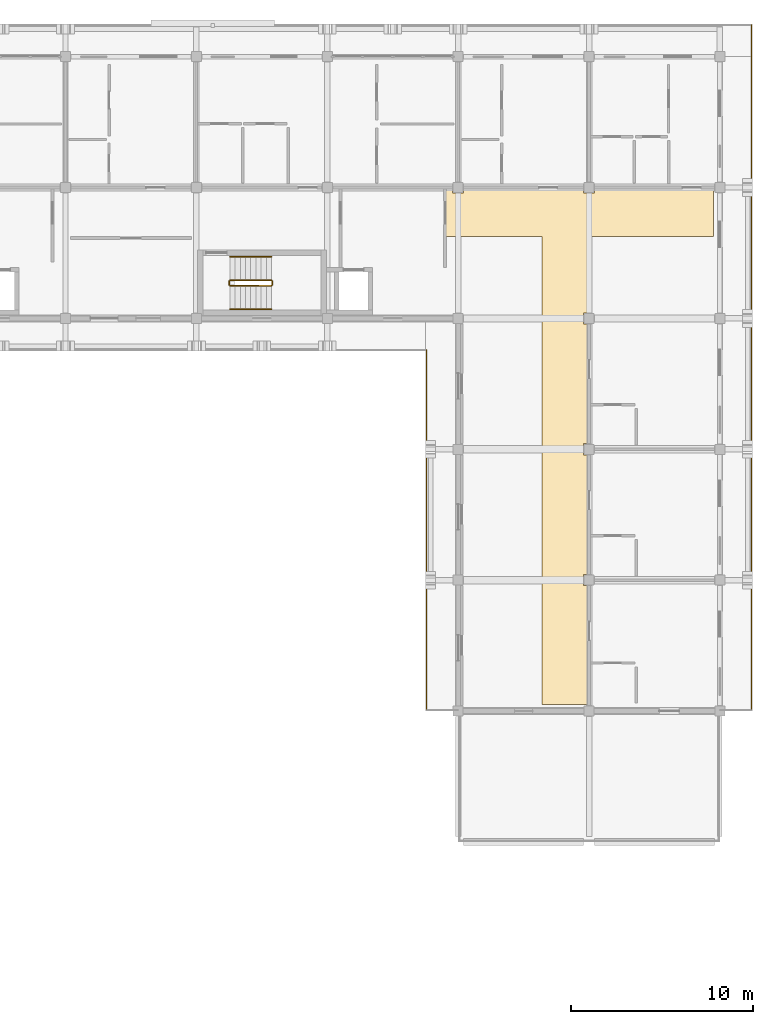
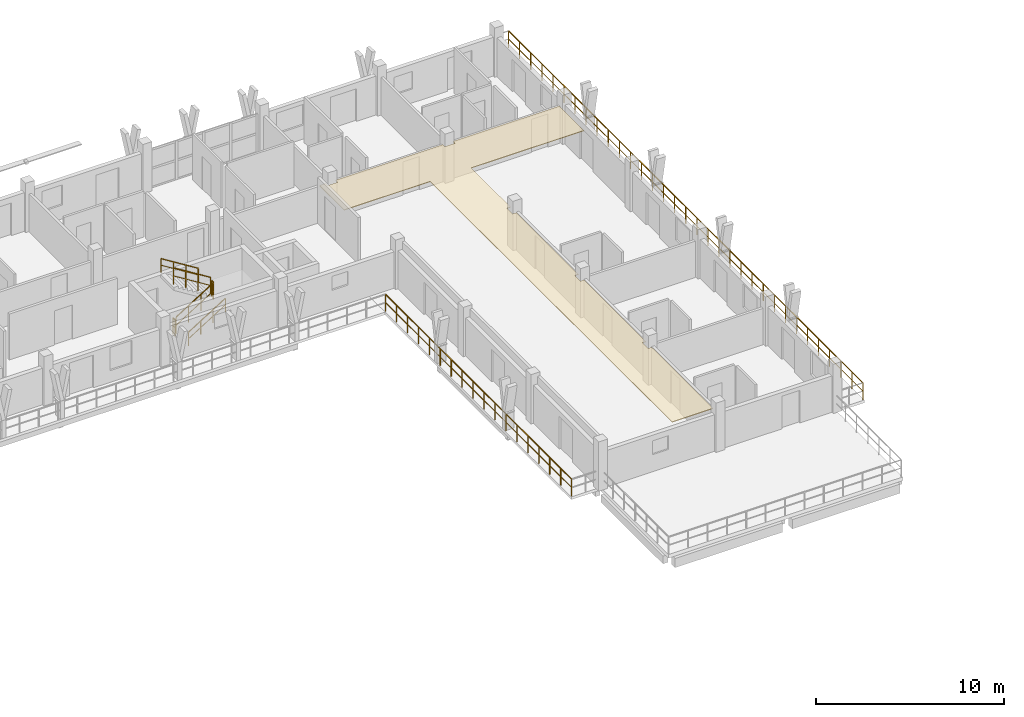
# One storey, part 72 of 73: 8 railings, 1 covering.
"""IFC4 building model written with IfcOpenShell, lengths in metres."""

import ifcopenshell
import ifcopenshell.guid

model = None  # the IFC model being written
_history = None  # IfcOwnerHistory: only IFC2X3 demands one
_inside = {}  # id of a spatial element -> (the spatial element, [elements in it])
_under = {}  # id of a project, library or spatial element -> (it, [spatial elements below it])
_declared = {}  # id of a project -> (the project, [libraries it declares])
_typed = {}  # id of a type object -> (the type object, [elements of that type])
_made_of = {}  # id of a material, layer set ... -> (it, [elements and type objects made of it])


def new_model(schema):
    """Start an empty IFC model of exactly this schema.

    Asked for "IFC4X3", IfcOpenShell would pick the latest addendum, in which some entities
    have other attributes; the version numbers below select the first issue.
    IFC2X3 requires an IfcOwnerHistory on every rooted entity: one is made here for all.
    """
    global model, _history
    if schema == "IFC4X3":
        model = ifcopenshell.file(schema_version=(4, 3, 0, 0))
    else:
        model = ifcopenshell.file(schema=schema)
    _inside.clear()
    _under.clear()
    _declared.clear()
    _typed.clear()
    _made_of.clear()
    _history = None
    if model.schema == "IFC2X3":
        org = make("IfcOrganization", Name="unknown")
        user = make(
            "IfcPersonAndOrganization",
            ThePerson=make("IfcPerson", FamilyName="unknown"),
            TheOrganization=org,
        )
        app = make(
            "IfcApplication",
            ApplicationDeveloper=org,
            Version="unknown",
            ApplicationFullName="unknown",
            ApplicationIdentifier="unknown",
        )
        _history = make(
            "IfcOwnerHistory",
            OwningUser=user,
            OwningApplication=app,
            ChangeAction="ADDED",
            CreationDate=0,
        )
    return model


def make(cls, **values):
    """One entity of the class cls with the attributes given. An attribute that is None is left unset."""
    return model.create_entity(
        cls, **{name: value for name, value in values.items() if value is not None}
    )


def rooted(cls, **values):
    """An entity with a GlobalId (a new one), such as an element, a storey or a relation."""
    return make(cls, GlobalId=ifcopenshell.guid.new(), OwnerHistory=_history, **values)


def si_unit(unit_type, name, prefix=None):
    """IfcSIUnit, for example si_unit("LENGTHUNIT", "METRE", prefix="MILLI")."""
    return make("IfcSIUnit", UnitType=unit_type, Prefix=prefix, Name=name)


def assignment(units):
    """IfcUnitAssignment: the units of a project."""
    return None if units is None else make("IfcUnitAssignment", Units=units)


def point(xyz):
    """IfcCartesianPoint."""
    return None if xyz is None else make("IfcCartesianPoint", Coordinates=xyz)


def direction(xyz):
    """IfcDirection."""
    return None if xyz is None else make("IfcDirection", DirectionRatios=xyz)


def frame(location, z_axis=None, x_axis=None):
    """IfcAxis2Placement3D, a coordinate frame: its origin and axes. An axis left out is left unset."""
    return make(
        "IfcAxis2Placement3D",
        Location=point(location),
        Axis=direction(z_axis),
        RefDirection=direction(x_axis),
    )


def frame_2d(location, x_axis=None):
    """IfcAxis2Placement2D, a coordinate frame in the plane: its origin and x axis."""
    return make(
        "IfcAxis2Placement2D", Location=point(location), RefDirection=direction(x_axis)
    )


def origin():
    """The frame at (0, 0, 0) with its axes left unset."""
    return frame((0.0, 0.0, 0.0))


def origin_2d():
    """The frame at (0, 0) in the plane with its x axis left unset."""
    return frame_2d((0.0, 0.0))


def place(relative_to, where):
    """IfcLocalPlacement: puts the frame where relative to a parent placement (None: the world)."""
    return make(
        "IfcLocalPlacement", PlacementRelTo=relative_to, RelativePlacement=where
    )


def context(
    kind, dimensions, precision=None, world=None, true_north=None, identifier=None
):
    """IfcGeometricRepresentationContext, for example the 3D "Model" context."""
    return make(
        "IfcGeometricRepresentationContext",
        ContextIdentifier=identifier,
        ContextType=kind,
        CoordinateSpaceDimension=dimensions,
        Precision=precision,
        WorldCoordinateSystem=world,
        TrueNorth=true_north,
    )


def subcontext(parent, identifier, kind, view, scale=None):
    """IfcGeometricRepresentationSubContext, for example "Body" below "Model"."""
    return make(
        "IfcGeometricRepresentationSubContext",
        ContextIdentifier=identifier,
        ContextType=kind,
        ParentContext=parent,
        TargetScale=scale,
        TargetView=view,
    )


def project(units=None, contexts=None):
    """IfcProject with its units and contexts."""
    return rooted(
        "IfcProject",
        Name="project",
        RepresentationContexts=contexts,
        UnitsInContext=assignment(units),
    )


def spatial(cls, under=None, at=None, **own):
    """A site, building, storey or space (cls), placed at a placement, below another one or the project."""
    s = rooted(cls, ObjectPlacement=at, **own)
    if under is not None:
        _under.setdefault(under.id(), (under, []))[1].append(s)
    return s


def polyline(points):
    """IfcPolyline through the points."""
    return make("IfcPolyline", Points=[point(p) for p in points])


def profile(cls, at=None, kind="AREA", **sizes):
    """A parametric profile (cls). Its sizes go by their IFC names, for example OverallWidth=200.0."""
    return make(cls, ProfileType=kind, Position=at, **sizes)


def rectangle(**sizes):
    """IfcRectangleProfileDef."""
    return profile("IfcRectangleProfileDef", **sizes)


def outline(outer, holes=None, kind="AREA"):
    """IfcArbitraryClosedProfileDef: a profile drawn as a closed curve; with holes, ...WithVoids."""
    if holes is None:
        return make("IfcArbitraryClosedProfileDef", ProfileType=kind, OuterCurve=outer)
    return make(
        "IfcArbitraryProfileDefWithVoids",
        ProfileType=kind,
        OuterCurve=outer,
        InnerCurves=holes,
    )


def extrude(swept, where, along, depth):
    """IfcExtrudedAreaSolid: the profile swept, set in the frame where, extruded along a direction by depth."""
    return make(
        "IfcExtrudedAreaSolid",
        SweptArea=swept,
        Position=where,
        ExtrudedDirection=direction(along),
        Depth=depth,
    )


def shape(context_of_items, identifier, shape_type, items):
    """IfcShapeRepresentation: the items that make up one representation, for example the "Body"."""
    return make(
        "IfcShapeRepresentation",
        ContextOfItems=context_of_items,
        RepresentationIdentifier=identifier,
        RepresentationType=shape_type,
        Items=items,
    )


def material(Name=None, Category=None):
    """IfcMaterial."""
    return make("IfcMaterial", Name=Name, Category=Category)


def layer(
    of_material, thickness, ventilated=None, Name=None, Category=None, Priority=None
):
    """IfcMaterialLayer: one layer of a wall or slab, of a material (None: an air gap)."""
    return make(
        "IfcMaterialLayer",
        Material=of_material,
        LayerThickness=thickness,
        IsVentilated=ventilated,
        Name=Name,
        Category=Category,
        Priority=Priority,
    )


def layer_set(layers, Name=None):
    """IfcMaterialLayerSet."""
    return make("IfcMaterialLayerSet", MaterialLayers=layers, LayerSetName=Name)


def made_of(thing, what):
    """Note that an element or type object is made of a material, layer set ...; save() writes the relation."""
    if what is not None:
        _made_of.setdefault(what.id(), (what, []))[1].append(thing)
    return thing


def type_object(cls, material=None, **own):
    """A type object (cls), such as IfcWallType, which elements share."""
    return made_of(rooted(cls, **own), material)


def element(
    cls,
    number,
    at=None,
    inside=None,
    cuts=None,
    type_object=None,
    material=None,
    context=None,
    identifier="Body",
    shape_type=None,
    held_by="IfcProductDefinitionShape",
    body=None,
    shapes=None,
    **own,
):
    """One element of the class cls, such as IfcWall. Its Tag is "e" and its number.

    at: its placement. inside: the storey or other place that contains it. cuts: it is an
    opening in that element (IfcRelVoidsElement). A single representation is given by context,
    identifier, shape_type and body (its items); several are given by shapes. held_by: the class
    of the entity that holds the representations. save() writes the other relations.
    """
    e = rooted(cls, Tag="e%d" % number, ObjectPlacement=at, **own)
    if body is not None:
        shapes = [shape(context, identifier, shape_type, body)]
    if shapes is not None:
        e.Representation = make(held_by, Representations=shapes)
    if inside is not None:
        _inside.setdefault(inside.id(), (inside, []))[1].append(e)
    if cuts is not None:
        rooted(
            "IfcRelVoidsElement", RelatingBuildingElement=cuts, RelatedOpeningElement=e
        )
    if type_object is not None:
        _typed.setdefault(type_object.id(), (type_object, []))[1].append(e)
    return made_of(e, material)


def aggregate(whole, parts):
    """IfcRelAggregates: a whole, such as a stair, and the parts it consists of."""
    return rooted("IfcRelAggregates", RelatingObject=whole, RelatedObjects=parts)


def save(model, path):
    """Write the relations noted so far, then the file.

    IfcRelAggregates (storeys below a building ...), IfcRelContainedInSpatialStructure (elements
    in a storey), IfcRelDefinesByType, IfcRelAssociatesMaterial and IfcRelDeclares: one each for
    every whole, place, type object, material and project.
    """
    for whole, parts in _under.values():
        aggregate(whole, parts)
    for where, things in _inside.values():
        rooted(
            "IfcRelContainedInSpatialStructure",
            RelatedElements=things,
            RelatingStructure=where,
        )
    for kind, things in _typed.values():
        rooted("IfcRelDefinesByType", RelatedObjects=things, RelatingType=kind)
    for what, things in _made_of.values():
        rooted("IfcRelAssociatesMaterial", RelatedObjects=things, RelatingMaterial=what)
    for by, libraries in _declared.values():
        rooted("IfcRelDeclares", RelatingContext=by, RelatedDefinitions=libraries)
    model.write(path)


model = new_model("IFC4")

# Units and contexts
model_context = context("Model", 3, precision=1e-05, world=origin(), true_north=direction((0.0, 1.0)))
body_context = subcontext(model_context, "Body", "Model", "MODEL_VIEW")
ifc_project = project(units=[si_unit("LENGTHUNIT", "METRE"), si_unit("AREAUNIT", "SQUARE_METRE"), si_unit("VOLUMEUNIT", "CUBIC_METRE"), si_unit("PLANEANGLEUNIT", "RADIAN"), si_unit("MASSUNIT", "GRAM", prefix="KILO")], contexts=[model_context])

# Site, building, storey
site_placement = place(None, origin())
site = spatial("IfcSite", under=ifc_project, at=site_placement, CompositionType="ELEMENT")
building_placement = place(site_placement, origin())
building = spatial("IfcBuilding", under=site, at=building_placement, Name="Suanplinth Sawtooth Commons", CompositionType="ELEMENT")
storey_placement = place(building_placement, frame((0.0, 0.0, 21.89990234375)))
storey = spatial("IfcBuildingStorey", under=building, at=storey_placement, Name="L06", CompositionType="ELEMENT", Elevation=21.89990234375)

# Covering
ifc_material_1 = material(Name="Mineral fibre acoustic tile")
ifc_layer = layer(ifc_material_1, 0.0400390625, Name="Perforated mineral-fibre acoustic suspended ceiling")
ifc_layer_set = layer_set([ifc_layer], Name="Mineral fibre acoustic tile")
covering_type = type_object("IfcCoveringType", Name="CV-CE01", PredefinedType="CEILING", material=ifc_layer_set)
covering_placement = place(storey_placement, frame((0.0, 0.0, 2.380126953125)))
element("IfcCovering", 1, at=covering_placement, inside=storey, type_object=covering_type, Name="L06 Block B Corridor Acoustic Ceiling", PredefinedType="CEILING", context=body_context, shape_type="SweptSolid", body=[
    extrude(outline(polyline([(172.4951171875, 115.1201171875), (172.4951171875, 114.89501953125), (173.10498046875, 114.89501953125), (173.10498046875, 115.1201171875), (179.695068359375, 115.1201171875), (179.695068359375, 114.89501953125), (180.304931640625, 114.89501953125), (180.304931640625, 115.1201171875), (186.840087890625, 115.1201171875), (186.840087890625, 112.5), (179.919921875, 112.5), (179.919921875, 108.304931640625), (179.695068359375, 108.304931640625), (179.695068359375, 107.695068359375), (179.919921875, 107.695068359375), (179.919921875, 101.10498046875), (179.695068359375, 101.10498046875), (179.695068359375, 100.4951171875), (179.919921875, 100.4951171875), (179.919921875, 93.905029296875), (179.695068359375, 93.905029296875), (179.695068359375, 93.294921875), (179.919921875, 93.294921875), (179.919921875, 86.760009765625), (177.39990234375, 86.760009765625), (177.39990234375, 112.5), (172.1201171875, 112.5), (172.1201171875, 115.1201171875), (172.4951171875, 115.1201171875)])), origin(), (0.0, 0.0, 1.0), 0.0400390625),
])

# Railings
ifc_material_2 = material(Name="Powder-coated galvanized steel", Category="steel")
railing_type_1 = type_object("IfcRailingType", Name="GR-01", PredefinedType="BALUSTRADE", material=ifc_material_2)
railing_1_placement = place(storey_placement, frame((171.06005859375, 86.4599609375, 0.0)))
element("IfcRailing", 2, at=railing_1_placement, inside=storey, type_object=railing_type_1, Name="L06 Block B Perimeter Balustrade 2", PredefinedType="BALUSTRADE", context=body_context, shape_type="SweptSolid", body=[
    extrude(rectangle(XDim=0.048095703125, YDim=0.048095703125, at=origin_2d()), frame((0.0, 0.0, 1.09619140625), z_axis=(0.0, 1.0, 0.0), x_axis=(-1.0, 0.0, 0.0)), (0.0, 0.0, 1.0), 19.800048828125),
    extrude(rectangle(XDim=0.03369140625, YDim=0.03369140625, at=origin_2d()), frame((0.0, 0.0, 0.56005859375), z_axis=(0.0, 1.0, 0.0), x_axis=(-1.0, 0.0, 0.0)), (0.0, 0.0, 1.0), 19.800048828125),
    extrude(rectangle(XDim=0.0419921875, YDim=0.0419921875, at=origin_2d()), origin(), (0.0, 0.0, 1.0), 1.072021484375),
    extrude(rectangle(XDim=0.0419921875, YDim=0.0419921875, at=origin_2d()), frame((0.0, 1.164794921875, 0.0)), (0.0, 0.0, 1.0), 1.072021484375),
    extrude(rectangle(XDim=0.0419921875, YDim=0.0419921875, at=origin_2d()), frame((0.0, 2.329345703125, 0.0)), (0.0, 0.0, 1.0), 1.072021484375),
    extrude(rectangle(XDim=0.0419921875, YDim=0.0419921875, at=origin_2d()), frame((0.0, 3.494140625, 0.0)), (0.0, 0.0, 1.0), 1.072021484375),
    extrude(rectangle(XDim=0.0419921875, YDim=0.0419921875, at=origin_2d()), frame((0.0, 4.658935546875, 0.0)), (0.0, 0.0, 1.0), 1.072021484375),
    extrude(rectangle(XDim=0.0419921875, YDim=0.0419921875, at=origin_2d()), frame((0.0, 5.823486328125, 0.0)), (0.0, 0.0, 1.0), 1.072021484375),
    extrude(rectangle(XDim=0.0419921875, YDim=0.0419921875, at=origin_2d()), frame((0.0, 6.98828125, 0.0)), (0.0, 0.0, 1.0), 1.072021484375),
    extrude(rectangle(XDim=0.0419921875, YDim=0.0419921875, at=origin_2d()), frame((0.0, 8.153076171875, 0.0)), (0.0, 0.0, 1.0), 1.072021484375),
    extrude(rectangle(XDim=0.0419921875, YDim=0.0419921875, at=origin_2d()), frame((0.0, 9.317626953125, 0.0)), (0.0, 0.0, 1.0), 1.072021484375),
    extrude(rectangle(XDim=0.0419921875, YDim=0.0419921875, at=origin_2d()), frame((0.0, 10.482421875, 0.0)), (0.0, 0.0, 1.0), 1.072021484375),
    extrude(rectangle(XDim=0.0419921875, YDim=0.0419921875, at=origin_2d()), frame((0.0, 11.64697265625, 0.0)), (0.0, 0.0, 1.0), 1.072021484375),
    extrude(rectangle(XDim=0.0419921875, YDim=0.0419921875, at=origin_2d()), frame((0.0, 12.811767578125, 0.0)), (0.0, 0.0, 1.0), 1.072021484375),
    extrude(rectangle(XDim=0.0419921875, YDim=0.0419921875, at=origin_2d()), frame((0.0, 13.9765625, 0.0)), (0.0, 0.0, 1.0), 1.072021484375),
    extrude(rectangle(XDim=0.0419921875, YDim=0.0419921875, at=origin_2d()), frame((0.0, 15.14111328125, 0.0)), (0.0, 0.0, 1.0), 1.072021484375),
    extrude(rectangle(XDim=0.0419921875, YDim=0.0419921875, at=origin_2d()), frame((0.0, 16.305908203125, 0.0)), (0.0, 0.0, 1.0), 1.072021484375),
    extrude(rectangle(XDim=0.0419921875, YDim=0.0419921875, at=origin_2d()), frame((0.0, 17.470703125, 0.0)), (0.0, 0.0, 1.0), 1.072021484375),
    extrude(rectangle(XDim=0.0419921875, YDim=0.0419921875, at=origin_2d()), frame((0.0, 18.63525390625, 0.0)), (0.0, 0.0, 1.0), 1.072021484375),
    extrude(rectangle(XDim=0.0419921875, YDim=0.0419921875, at=origin_2d()), frame((0.0, 19.800048828125, 0.0)), (0.0, 0.0, 1.0), 1.072021484375),
])
railing_2_placement = place(storey_placement, frame((188.93994140625, 124.139892578125, 0.0)))
element("IfcRailing", 3, at=railing_2_placement, inside=storey, type_object=railing_type_1, Name="L06 Block B Perimeter Balustrade 10", PredefinedType="BALUSTRADE", context=body_context, shape_type="SweptSolid", body=[
    extrude(rectangle(XDim=0.048095703125, YDim=0.048095703125, at=origin_2d()), frame((0.0, 0.0, 1.09619140625), z_axis=(0.0, -1.0, 0.0), x_axis=(1.0, 0.0, 0.0)), (0.0, 0.0, 1.0), 37.679931640625),
    extrude(rectangle(XDim=0.03369140625, YDim=0.03369140625, at=origin_2d()), frame((0.0, 0.0, 0.56005859375), z_axis=(0.0, -1.0, 0.0), x_axis=(1.0, 0.0, 0.0)), (0.0, 0.0, 1.0), 37.679931640625),
    extrude(rectangle(XDim=0.0419921875, YDim=0.0419921875, at=origin_2d()), origin(), (0.0, 0.0, 1.0), 1.072021484375),
    extrude(rectangle(XDim=0.0419921875, YDim=0.0419921875, at=origin_2d()), frame((0.0, -1.177490234375, 0.0)), (0.0, 0.0, 1.0), 1.072021484375),
    extrude(rectangle(XDim=0.0419921875, YDim=0.0419921875, at=origin_2d()), frame((0.0, -2.35498046875, 0.0)), (0.0, 0.0, 1.0), 1.072021484375),
    extrude(rectangle(XDim=0.0419921875, YDim=0.0419921875, at=origin_2d()), frame((0.0, -3.532470703125, 0.0)), (0.0, 0.0, 1.0), 1.072021484375),
    extrude(rectangle(XDim=0.0419921875, YDim=0.0419921875, at=origin_2d()), frame((0.0, -4.7099609375, 0.0)), (0.0, 0.0, 1.0), 1.072021484375),
    extrude(rectangle(XDim=0.0419921875, YDim=0.0419921875, at=origin_2d()), frame((0.0, -5.887451171875, 0.0)), (0.0, 0.0, 1.0), 1.072021484375),
    extrude(rectangle(XDim=0.0419921875, YDim=0.0419921875, at=origin_2d()), frame((0.0, -7.06494140625, 0.0)), (0.0, 0.0, 1.0), 1.072021484375),
    extrude(rectangle(XDim=0.0419921875, YDim=0.0419921875, at=origin_2d()), frame((0.0, -8.242431640625, 0.0)), (0.0, 0.0, 1.0), 1.072021484375),
    extrude(rectangle(XDim=0.0419921875, YDim=0.0419921875, at=origin_2d()), frame((0.0, -9.419921875, 0.0)), (0.0, 0.0, 1.0), 1.072021484375),
    extrude(rectangle(XDim=0.0419921875, YDim=0.0419921875, at=origin_2d()), frame((0.0, -10.597412109375, 0.0)), (0.0, 0.0, 1.0), 1.072021484375),
    extrude(rectangle(XDim=0.0419921875, YDim=0.0419921875, at=origin_2d()), frame((0.0, -11.77490234375, 0.0)), (0.0, 0.0, 1.0), 1.072021484375),
    extrude(rectangle(XDim=0.0419921875, YDim=0.0419921875, at=origin_2d()), frame((0.0, -12.952392578125, 0.0)), (0.0, 0.0, 1.0), 1.072021484375),
    extrude(rectangle(XDim=0.0419921875, YDim=0.0419921875, at=origin_2d()), frame((0.0, -14.1298828125, 0.0)), (0.0, 0.0, 1.0), 1.072021484375),
    extrude(rectangle(XDim=0.0419921875, YDim=0.0419921875, at=origin_2d()), frame((0.0, -15.307373046875, 0.0)), (0.0, 0.0, 1.0), 1.072021484375),
    extrude(rectangle(XDim=0.0419921875, YDim=0.0419921875, at=origin_2d()), frame((0.0, -16.48486328125, 0.0)), (0.0, 0.0, 1.0), 1.072021484375),
    extrude(rectangle(XDim=0.0419921875, YDim=0.0419921875, at=origin_2d()), frame((0.0, -17.662353515625, 0.0)), (0.0, 0.0, 1.0), 1.072021484375),
    extrude(rectangle(XDim=0.0419921875, YDim=0.0419921875, at=origin_2d()), frame((0.0, -18.83984375, 0.0)), (0.0, 0.0, 1.0), 1.072021484375),
    extrude(rectangle(XDim=0.0419921875, YDim=0.0419921875, at=origin_2d()), frame((0.0, -20.017578125, 0.0)), (0.0, 0.0, 1.0), 1.072021484375),
    extrude(rectangle(XDim=0.0419921875, YDim=0.0419921875, at=origin_2d()), frame((0.0, -21.195068359375, 0.0)), (0.0, 0.0, 1.0), 1.072021484375),
    extrude(rectangle(XDim=0.0419921875, YDim=0.0419921875, at=origin_2d()), frame((0.0, -22.37255859375, 0.0)), (0.0, 0.0, 1.0), 1.072021484375),
    extrude(rectangle(XDim=0.0419921875, YDim=0.0419921875, at=origin_2d()), frame((0.0, -23.550048828125, 0.0)), (0.0, 0.0, 1.0), 1.072021484375),
    extrude(rectangle(XDim=0.0419921875, YDim=0.0419921875, at=origin_2d()), frame((0.0, -24.7275390625, 0.0)), (0.0, 0.0, 1.0), 1.072021484375),
    extrude(rectangle(XDim=0.0419921875, YDim=0.0419921875, at=origin_2d()), frame((0.0, -25.905029296875, 0.0)), (0.0, 0.0, 1.0), 1.072021484375),
    extrude(rectangle(XDim=0.0419921875, YDim=0.0419921875, at=origin_2d()), frame((0.0, -27.08251953125, 0.0)), (0.0, 0.0, 1.0), 1.072021484375),
    extrude(rectangle(XDim=0.0419921875, YDim=0.0419921875, at=origin_2d()), frame((0.0, -28.260009765625, 0.0)), (0.0, 0.0, 1.0), 1.072021484375),
    extrude(rectangle(XDim=0.0419921875, YDim=0.0419921875, at=origin_2d()), frame((0.0, -29.4375, 0.0)), (0.0, 0.0, 1.0), 1.072021484375),
    extrude(rectangle(XDim=0.0419921875, YDim=0.0419921875, at=origin_2d()), frame((0.0, -30.614990234375, 0.0)), (0.0, 0.0, 1.0), 1.072021484375),
    extrude(rectangle(XDim=0.0419921875, YDim=0.0419921875, at=origin_2d()), frame((0.0, -31.79248046875, 0.0)), (0.0, 0.0, 1.0), 1.072021484375),
    extrude(rectangle(XDim=0.0419921875, YDim=0.0419921875, at=origin_2d()), frame((0.0, -32.969970703125, 0.0)), (0.0, 0.0, 1.0), 1.072021484375),
    extrude(rectangle(XDim=0.0419921875, YDim=0.0419921875, at=origin_2d()), frame((0.0, -34.1474609375, 0.0)), (0.0, 0.0, 1.0), 1.072021484375),
    extrude(rectangle(XDim=0.0419921875, YDim=0.0419921875, at=origin_2d()), frame((0.0, -35.324951171875, 0.0)), (0.0, 0.0, 1.0), 1.072021484375),
    extrude(rectangle(XDim=0.0419921875, YDim=0.0419921875, at=origin_2d()), frame((0.0, -36.50244140625, 0.0)), (0.0, 0.0, 1.0), 1.072021484375),
    extrude(rectangle(XDim=0.0419921875, YDim=0.0419921875, at=origin_2d()), frame((0.0, -37.679931640625, 0.0)), (0.0, 0.0, 1.0), 1.072021484375),
])
ifc_material_3 = material(Name="Stainless steel Grade 304", Category="steel")
railing_type_2 = type_object("IfcRailingType", Name="GR-04", PredefinedType="GUARDRAIL", material=ifc_material_3)
railing_3_placement = place(storey_placement, frame((160.25, 109.800048828125, 0.177978515625)))
element("IfcRailing", 4, at=railing_3_placement, inside=storey, type_object=railing_type_2, Name="L06 ST-E2 Guard 1", PredefinedType="GUARDRAIL", context=body_context, shape_type="SweptSolid", body=[
    extrude(rectangle(XDim=0.048095703125, YDim=0.048095703125, at=origin_2d()), frame((0.0, 0.0, 1.076171875), z_axis=(0.848482842525, 0.0, 0.529222888715), x_axis=(0.0, 1.0, 0.0)), (0.0, 0.0, 1.0), 2.687255859375),
    extrude(rectangle(XDim=0.03369140625, YDim=0.03369140625, at=origin_2d()), frame((0.0, 0.0, 0.550048828125), z_axis=(0.848482842525, 0.0, 0.529222888715), x_axis=(0.0, 1.0, 0.0)), (0.0, 0.0, 1.0), 2.687255859375),
    extrude(rectangle(XDim=0.0419921875, YDim=0.0419921875, at=origin_2d()), origin(), (0.0, 0.0, 1.0), 1.052001953125),
    extrude(rectangle(XDim=0.0419921875, YDim=0.0419921875, at=origin_2d()), frame((0.760009765625, 0.0, 0.47412109375)), (0.0, 0.0, 1.0), 1.052001953125),
    extrude(rectangle(XDim=0.0419921875, YDim=0.0419921875, at=origin_2d()), frame((1.52001953125, 0.0, 0.947998046875)), (0.0, 0.0, 1.0), 1.052001953125),
    extrude(rectangle(XDim=0.0419921875, YDim=0.0419921875, at=origin_2d()), frame((2.280029296875, 0.0, 1.422119140625)), (0.0, 0.0, 1.0), 1.052001953125),
])
railing_4_placement = place(storey_placement, frame((162.580078125, 109.85009765625, 1.60009765625)))
element("IfcRailing", 5, at=railing_4_placement, inside=storey, type_object=railing_type_2, Name="L06 ST-E2 Guard 2", PredefinedType="GUARDRAIL", context=body_context, shape_type="SweptSolid", body=[
    extrude(rectangle(XDim=0.048095703125, YDim=0.048095703125, at=origin_2d()), frame((0.0, 0.0, 1.076171875), z_axis=(0.0, 1.0, 0.0), x_axis=(-1.0, 0.0, 0.0)), (0.0, 0.0, 1.0), 0.199951171875),
    extrude(rectangle(XDim=0.03369140625, YDim=0.03369140625, at=origin_2d()), frame((0.0, 0.0, 0.550048828125), z_axis=(0.0, 1.0, 0.0), x_axis=(-1.0, 0.0, 0.0)), (0.0, 0.0, 1.0), 0.199951171875),
    extrude(rectangle(XDim=0.0419921875, YDim=0.0419921875, at=origin_2d()), origin(), (0.0, 0.0, 1.0), 1.052001953125),
    extrude(rectangle(XDim=0.0419921875, YDim=0.0419921875, at=origin_2d()), frame((0.0, 0.199951171875, 0.0)), (0.0, 0.0, 1.0), 1.052001953125),
])
railing_5_placement = place(storey_placement, frame((162.530029296875, 110.10009765625, 1.77783203125)))
element("IfcRailing", 6, at=railing_5_placement, inside=storey, type_object=railing_type_2, Name="L06 ST-E2 Guard 3", PredefinedType="GUARDRAIL", context=body_context, shape_type="SweptSolid", body=[
    extrude(rectangle(XDim=0.048095703125, YDim=0.048095703125, at=origin_2d()), frame((0.0, 0.0, 1.076171875), z_axis=(-0.848442045328, 0.0, 0.529288291689), x_axis=(0.0, -1.0, 0.0)), (0.0, 0.0, 1.0), 2.687255859375),
    extrude(rectangle(XDim=0.03369140625, YDim=0.03369140625, at=origin_2d()), frame((0.0, 0.0, 0.550048828125), z_axis=(-0.848442045328, 0.0, 0.529288291689), x_axis=(0.0, -1.0, 0.0)), (0.0, 0.0, 1.0), 2.687255859375),
    extrude(rectangle(XDim=0.0419921875, YDim=0.0419921875, at=origin_2d()), origin(), (0.0, 0.0, 1.0), 1.052001953125),
    extrude(rectangle(XDim=0.0419921875, YDim=0.0419921875, at=origin_2d()), frame((-0.760009765625, 0.0, 0.47412109375)), (0.0, 0.0, 1.0), 1.052001953125),
    extrude(rectangle(XDim=0.0419921875, YDim=0.0419921875, at=origin_2d()), frame((-1.52001953125, 0.0, 0.9482421875)), (0.0, 0.0, 1.0), 1.052001953125),
    extrude(rectangle(XDim=0.0419921875, YDim=0.0419921875, at=origin_2d()), frame((-2.280029296875, 0.0, 1.42236328125)), (0.0, 0.0, 1.0), 1.052001953125),
])
railing_6_placement = place(storey_placement, frame((160.199951171875, 109.85009765625, 0.0)))
element("IfcRailing", 7, at=railing_6_placement, inside=storey, type_object=railing_type_2, Name="L06 ST-E2 Guard 4", PredefinedType="GUARDRAIL", context=body_context, shape_type="SweptSolid", body=[
    extrude(rectangle(XDim=0.048095703125, YDim=0.048095703125, at=origin_2d()), frame((0.0, 0.0, 1.076171875), z_axis=(0.0, 1.0, 0.0), x_axis=(-1.0, 0.0, 0.0)), (0.0, 0.0, 1.0), 0.199951171875),
    extrude(rectangle(XDim=0.03369140625, YDim=0.03369140625, at=origin_2d()), frame((0.0, 0.0, 0.550048828125), z_axis=(0.0, 1.0, 0.0), x_axis=(-1.0, 0.0, 0.0)), (0.0, 0.0, 1.0), 0.199951171875),
    extrude(rectangle(XDim=0.0419921875, YDim=0.0419921875, at=origin_2d()), origin(), (0.0, 0.0, 1.0), 1.052001953125),
    extrude(rectangle(XDim=0.0419921875, YDim=0.0419921875, at=origin_2d()), frame((0.0, 0.199951171875, 0.0)), (0.0, 0.0, 1.0), 1.052001953125),
])
railing_type_3 = type_object("IfcRailingType", Name="HR-01", PredefinedType="HANDRAIL", material=ifc_material_3)
railing_7_placement = place(storey_placement, frame((160.25, 108.5, 0.177978515625)))
element("IfcRailing", 8, at=railing_7_placement, inside=storey, type_object=railing_type_3, Name="L06 ST-E2 Handrail 1", PredefinedType="HANDRAIL", context=body_context, shape_type="SweptSolid", body=[
    extrude(rectangle(XDim=0.048095703125, YDim=0.048095703125, at=origin_2d()), frame((0.0, 0.0, 0.8759765625), z_axis=(0.848482842525, 0.0, 0.529222888715), x_axis=(0.0, 1.0, 0.0)), (0.0, 0.0, 1.0), 2.687255859375),
    extrude(rectangle(XDim=0.03369140625, YDim=0.03369140625, at=origin_2d()), frame((0.0, 0.0, 0.449951171875), z_axis=(0.848482842525, 0.0, 0.529222888715), x_axis=(0.0, 1.0, 0.0)), (0.0, 0.0, 1.0), 2.687255859375),
    extrude(rectangle(XDim=0.0419921875, YDim=0.0419921875, at=origin_2d()), origin(), (0.0, 0.0, 1.0), 0.851806640625),
    extrude(rectangle(XDim=0.0419921875, YDim=0.0419921875, at=origin_2d()), frame((0.760009765625, 0.0, 0.47412109375)), (0.0, 0.0, 1.0), 0.851806640625),
    extrude(rectangle(XDim=0.0419921875, YDim=0.0419921875, at=origin_2d()), frame((1.52001953125, 0.0, 0.947998046875)), (0.0, 0.0, 1.0), 0.851806640625),
    extrude(rectangle(XDim=0.0419921875, YDim=0.0419921875, at=origin_2d()), frame((2.280029296875, 0.0, 1.422119140625)), (0.0, 0.0, 1.0), 0.851806640625),
])
railing_8_placement = place(storey_placement, frame((162.530029296875, 111.39990234375, 1.77783203125)))
element("IfcRailing", 9, at=railing_8_placement, inside=storey, type_object=railing_type_3, Name="L06 ST-E2 Handrail 2", PredefinedType="HANDRAIL", context=body_context, shape_type="SweptSolid", body=[
    extrude(rectangle(XDim=0.048095703125, YDim=0.048095703125, at=origin_2d()), frame((0.0, 0.0, 0.8759765625), z_axis=(-0.848442045328, 0.0, 0.529288291689), x_axis=(0.0, -1.0, 0.0)), (0.0, 0.0, 1.0), 2.687255859375),
    extrude(rectangle(XDim=0.03369140625, YDim=0.03369140625, at=origin_2d()), frame((0.0, 0.0, 0.449951171875), z_axis=(-0.848442045328, 0.0, 0.529288291689), x_axis=(0.0, -1.0, 0.0)), (0.0, 0.0, 1.0), 2.687255859375),
    extrude(rectangle(XDim=0.0419921875, YDim=0.0419921875, at=origin_2d()), origin(), (0.0, 0.0, 1.0), 0.851806640625),
    extrude(rectangle(XDim=0.0419921875, YDim=0.0419921875, at=origin_2d()), frame((-0.760009765625, 0.0, 0.47412109375)), (0.0, 0.0, 1.0), 0.851806640625),
    extrude(rectangle(XDim=0.0419921875, YDim=0.0419921875, at=origin_2d()), frame((-1.52001953125, 0.0, 0.9482421875)), (0.0, 0.0, 1.0), 0.851806640625),
    extrude(rectangle(XDim=0.0419921875, YDim=0.0419921875, at=origin_2d()), frame((-2.280029296875, 0.0, 1.42236328125)), (0.0, 0.0, 1.0), 0.851806640625),
])

save(model, "model.ifc")
